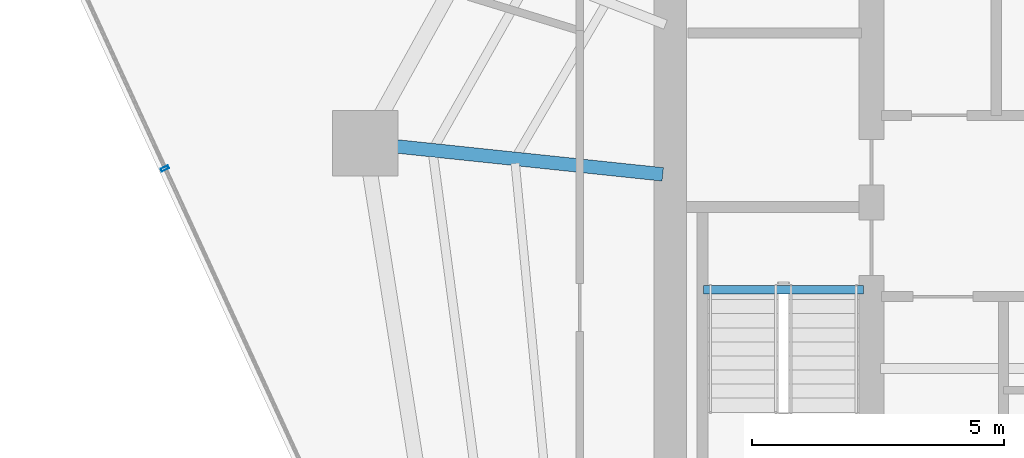
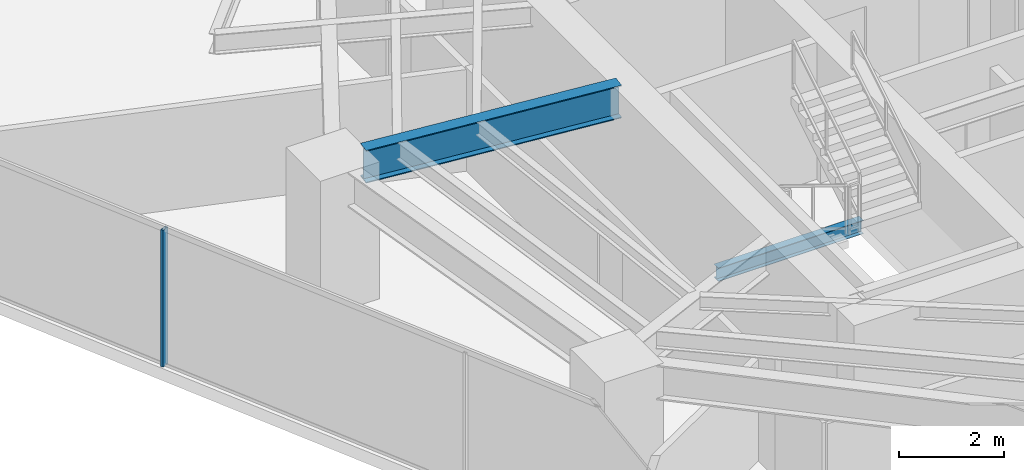
# One storey, part 9 of 30: 2 beams, 1 member, 1 element without a shape of its own.
"""IFC4 building model written with IfcOpenShell, lengths in metres."""

from ifc_helpers import new_model, si_unit, direction, frame, origin, origin_2d, place, context, subcontext, project, spatial, hollow_rectangle, i_section, extrude, material, layer, layer_set, material_profile, profile_set, type_object, element, aggregate, save


model = new_model("IFC4")

# Units and contexts
model_context = context("Model", 3, precision=1e-05, world=origin(), true_north=direction((0.0, 1.0)))
body_context = subcontext(model_context, "Body", "Model", "MODEL_VIEW")
ifc_project = project(units=[si_unit("LENGTHUNIT", "METRE"), si_unit("AREAUNIT", "SQUARE_METRE"), si_unit("VOLUMEUNIT", "CUBIC_METRE"), si_unit("PLANEANGLEUNIT", "RADIAN"), si_unit("MASSUNIT", "GRAM", prefix="KILO")], contexts=[model_context])

# Site, building, storey
site_placement = place(None, origin())
site = spatial("IfcSite", under=ifc_project, at=site_placement, CompositionType="ELEMENT")
building_placement = place(site_placement, origin())
building = spatial("IfcBuilding", under=site, at=building_placement, Name="Qarnah Convention Tower", CompositionType="ELEMENT")
storey_placement = place(building_placement, frame((0.0, 0.0, 47.699951171875)))
storey = spatial("IfcBuildingStorey", under=building, at=storey_placement, Name="L11", CompositionType="ELEMENT", Elevation=47.699951171875)

# Beams
ifc_material_1 = material(Name="Structural steel S355JR", Category="steel")
ifc_material_profile_1 = material_profile(ifc_material_1, i_section(OverallWidth=0.166015625, OverallDepth=0.31201171875, WebThickness=0.007080078125, FlangeThickness=0.010986328125, at=origin_2d()), Name="W310X45")
ifc_profile_set_1 = profile_set([ifc_material_profile_1], Name="Structural steel S355JR")
beam_type_1 = type_object("IfcBeamType", Name="BM-JST-W310", PredefinedType="JOIST", material=ifc_profile_set_1)
beam_1_placement = place(storey_placement, frame((27.4599609375, 25.217041015625, -0.156005859375), z_axis=(1.0, 0.0, 0.0), x_axis=(0.0, 1.0, 0.0)))
element("IfcBeam", 1, at=beam_1_placement, inside=storey, type_object=beam_type_1, Name="L11 stair landing trimmer beam BM-L11-ST1-TRM", PredefinedType="BEAM", context=body_context, shape_type="SweptSolid", body=[
    extrude(i_section(OverallWidth=0.166015625, OverallDepth=0.31201171875, WebThickness=0.007080078125, FlangeThickness=0.010986328125, at=origin_2d()), origin(), (0.0, 0.0, 1.0), 3.179931640625),
])
ifc_material_profile_2 = material_profile(ifc_material_1, i_section(OverallWidth=0.26806640625, OverallDepth=0.760009765625, WebThickness=0.014892578125, FlangeThickness=0.02197265625, at=origin_2d()), Name="W760X185")
ifc_profile_set_2 = profile_set([ifc_material_profile_2], Name="Structural steel S355JR")
beam_type_2 = type_object("IfcBeamType", Name="BM-RAD-W760", PredefinedType="BEAM", material=ifc_profile_set_2)
beam_2_placement = place(storey_placement, frame((26.65087890625, 27.509033203125, 2.7900390625), z_axis=(-0.99452834613, 0.10446707014, 0.0), x_axis=(-0.10446707014, -0.99452834613, 0.0)))
element("IfcBeam", 2, at=beam_2_placement, inside=storey, type_object=beam_type_2, Name="L11 beam BM-L11-RAD-05", PredefinedType="BEAM", context=body_context, shape_type="SweptSolid", body=[
    extrude(i_section(OverallWidth=0.26806640625, OverallDepth=0.760009765625, WebThickness=0.014892578125, FlangeThickness=0.02197265625, at=origin_2d()), origin(), (0.0, 0.0, 1.0), 5.31201171875),
])

# Curtain wall, member
ifc_material_2 = material(Name="Tempered Low-E dark glass", Category="glass")
ifc_layer = layer(ifc_material_2, 0.16796875)
ifc_layer_set = layer_set([ifc_layer], Name="Tempered Low-E dark glass")
curtain_wall_type = type_object("IfcCurtainWallType", Name="CWS-01", PredefinedType="NOTDEFINED", material=ifc_layer_set)
curtain_wall_placement = place(storey_placement, origin())
curtain_wall = element("IfcCurtainWall", 3, at=curtain_wall_placement, inside=storey, type_object=curtain_wall_type, Name="L11 unitised curtain wall CW-L11-F1", PredefinedType="NOTDEFINED")
ifc_material_3 = material(Name="Black anodised aluminium", Category="aluminium")
ifc_material_profile_3 = material_profile(ifc_material_3, hollow_rectangle(XDim=0.06005859375, YDim=0.159912109375, WallThickness=0.00390625, at=origin_2d()), Name="MUL-60X160")
ifc_profile_set_3 = profile_set([ifc_material_profile_3], Name="Black anodised aluminium")
member_type = type_object("IfcMemberType", Name="MUL-T1", PredefinedType="MULLION", material=ifc_profile_set_3)
member_placement = place(storey_placement, frame((16.755859375, 27.62646484375, 0.0), z_axis=(0.0, 0.0, 1.0), x_axis=(-0.418208766781, 0.908350938453, 0.0)))
member = element("IfcMember", 4, at=member_placement, type_object=member_type, Name="CW-L11-F1 mullion 5", PredefinedType="MULLION", context=body_context, shape_type="SweptSolid", body=[
    extrude(hollow_rectangle(XDim=0.06005859375, YDim=0.159912109375, WallThickness=0.00390625, at=origin_2d()), origin(), (0.0, 0.0, 1.0), 3.170166015625),
])
aggregate(curtain_wall, [member])

save(model, "model.ifc")
